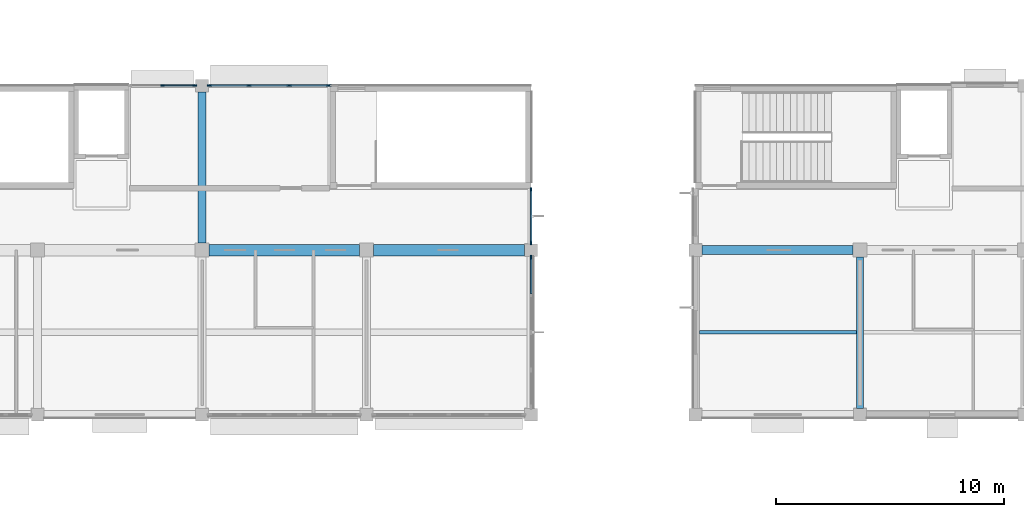
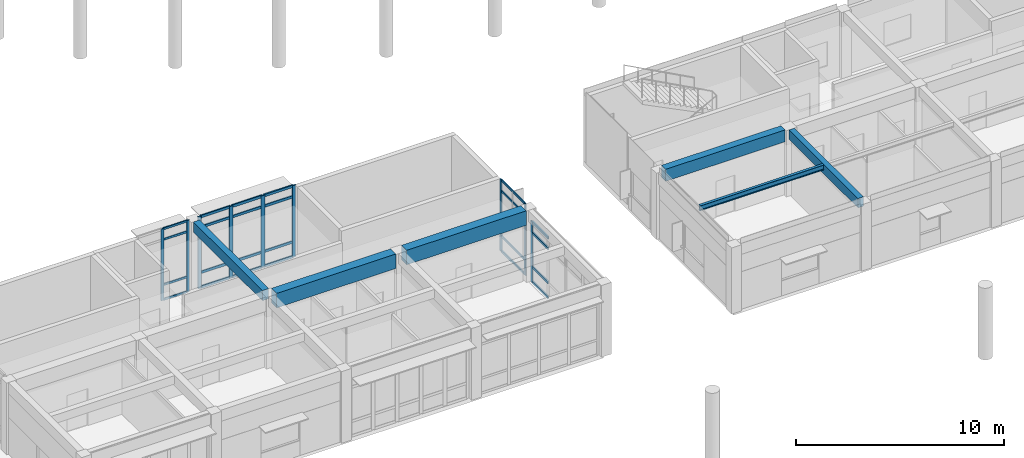
# One storey, part 5 of 41: 33 members, 6 beams, 4 elements without a shape of their own.
"""IFC4 building model written with IfcOpenShell, lengths in metres."""

from ifc_helpers import new_model, si_unit, direction, frame, origin, origin_2d, place, context, subcontext, project, spatial, rectangle, i_section, extrude, material, layer, layer_set, material_profile, profile_set, type_object, element, aggregate, save


model = new_model("IFC4")

# Units and contexts
model_context = context("Model", 3, precision=1e-05, world=origin(), true_north=direction((0.0, 1.0)))
body_context = subcontext(model_context, "Body", "Model", "MODEL_VIEW")
ifc_project = project(units=[si_unit("LENGTHUNIT", "METRE"), si_unit("AREAUNIT", "SQUARE_METRE"), si_unit("VOLUMEUNIT", "CUBIC_METRE"), si_unit("PLANEANGLEUNIT", "RADIAN"), si_unit("MASSUNIT", "GRAM", prefix="KILO")], contexts=[model_context])

# Site, building, storey
site_placement = place(None, origin())
site = spatial("IfcSite", under=ifc_project, at=site_placement, CompositionType="ELEMENT")
building_placement = place(site_placement, origin())
building = spatial("IfcBuilding", under=site, at=building_placement, Name="Namkhue Oval Health Centre", CompositionType="ELEMENT")
storey_placement = place(building_placement, frame((0.0, 0.0, 13.800048828125)))
storey = spatial("IfcBuildingStorey", under=building, at=storey_placement, Name="L03", CompositionType="ELEMENT", Elevation=13.800048828125)

# Curtain wall, members
ifc_material_1 = material(Name="Anodised aluminium EN AW-6063 T6", Category="aluminium")
ifc_layer_1 = layer(ifc_material_1, 0.159912109375)
ifc_layer_set_1 = layer_set([ifc_layer_1], Name="Anodised aluminium EN AW-6063 T6")
curtain_wall_type_1 = type_object("IfcCurtainWallType", Name="UNITISED CURTAIN WALL M1800", PredefinedType="NOTDEFINED", material=ifc_layer_set_1)
curtain_wall_1_placement = place(storey_placement, origin())
curtain_wall_1 = element("IfcCurtainWall", 1, at=curtain_wall_1_placement, inside=storey, type_object=curtain_wall_type_1, Name="Volume V4 L03 Unitised Curtain Wall 173", PredefinedType="NOTDEFINED")
ifc_material_profile_1 = material_profile(ifc_material_1, rectangle(XDim=0.06494140625, YDim=0.159912109375, at=origin_2d()), Name="ALU 65x160")
ifc_profile_set_1 = profile_set([ifc_material_profile_1], Name="Anodised aluminium EN AW-6063 T6")
member_type_1 = type_object("IfcMemberType", Name="CURTAIN WALL MULLION 65X160", PredefinedType="MULLION", material=ifc_profile_set_1)
member_1_placement = place(storey_placement, frame((86.39990234375, 21.91845703125, 0.0), z_axis=(0.0, 0.0, 1.0), x_axis=(-1.0, 0.0, 0.0)))
member_1 = element("IfcMember", 2, at=member_1_placement, type_object=member_type_1, Name="CW-05 mullion 1", PredefinedType="MULLION", context=body_context, shape_type="SweptSolid", body=[
    extrude(rectangle(XDim=0.06494140625, YDim=0.159912109375, at=origin_2d()), origin(), (0.0, 0.0, 1.0), 4.199951171875),
])
member_2_placement = place(storey_placement, frame((86.39990234375, 24.25048828125, 0.0), z_axis=(0.0, 0.0, 1.0), x_axis=(-1.0, 0.0, 0.0)))
member_2 = element("IfcMember", 3, at=member_2_placement, type_object=member_type_1, Name="CW-05 mullion 2", PredefinedType="MULLION", context=body_context, shape_type="SweptSolid", body=[
    extrude(rectangle(XDim=0.06494140625, YDim=0.159912109375, at=origin_2d()), origin(), (0.0, 0.0, 1.0), 4.199951171875),
])

ifc_layer_2 = layer(ifc_material_1, 0.159912109375)
ifc_layer_set_2 = layer_set([ifc_layer_2], Name="Anodised aluminium EN AW-6063 T6")
curtain_wall_type_2 = type_object("IfcCurtainWallType", Name="UNITISED CURTAIN WALL M1200", PredefinedType="NOTDEFINED", material=ifc_layer_set_2)
curtain_wall_2_placement = place(storey_placement, origin())
curtain_wall_2 = element("IfcCurtainWall", 4, at=curtain_wall_2_placement, inside=storey, type_object=curtain_wall_type_2, Name="Volume V4 L03 Unitised Curtain Wall 175", PredefinedType="NOTDEFINED")
member_3_placement = place(storey_placement, frame((71.681396484375, 28.800048828125, 0.0), z_axis=(0.0, 0.0, 1.0), x_axis=(0.0, -1.0, 0.0)))
member_3 = element("IfcMember", 5, at=member_3_placement, type_object=member_type_1, Name="CW-01 mullion 1", PredefinedType="MULLION", context=body_context, shape_type="SweptSolid", body=[
    extrude(rectangle(XDim=0.06494140625, YDim=0.159912109375, at=origin_2d()), origin(), (0.0, 0.0, 1.0), 4.199951171875),
])
member_4_placement = place(storey_placement, frame((70.265380859375, 28.800048828125, 0.0), z_axis=(0.0, 0.0, 1.0), x_axis=(0.0, -1.0, 0.0)))
member_4 = element("IfcMember", 6, at=member_4_placement, type_object=member_type_1, Name="CW-01 mullion 2", PredefinedType="MULLION", context=body_context, shape_type="SweptSolid", body=[
    extrude(rectangle(XDim=0.06494140625, YDim=0.159912109375, at=origin_2d()), origin(), (0.0, 0.0, 1.0), 4.199951171875),
])

# Curtain wall, member
ifc_layer_3 = layer(ifc_material_1, 0.159912109375)
ifc_layer_set_3 = layer_set([ifc_layer_3], Name="Anodised aluminium EN AW-6063 T6")
curtain_wall_type_3 = type_object("IfcCurtainWallType", Name="UNITISED CURTAIN WALL M1600", PredefinedType="NOTDEFINED", material=ifc_layer_set_3)
curtain_wall_3_placement = place(storey_placement, origin())
curtain_wall_3 = element("IfcCurtainWall", 7, at=curtain_wall_3_placement, inside=storey, type_object=curtain_wall_type_3, Name="Volume V4 L03 Unitised Curtain Wall 172", PredefinedType="NOTDEFINED")
ifc_material_profile_2 = material_profile(ifc_material_1, rectangle(XDim=0.074951171875, YDim=0.199951171875, at=origin_2d()), Name="ALU 75x200")
ifc_profile_set_2 = profile_set([ifc_material_profile_2], Name="Anodised aluminium EN AW-6063 T6")
member_type_2 = type_object("IfcMemberType", Name="CURTAIN WALL MULLION 75X200", PredefinedType="MULLION", material=ifc_profile_set_2)
member_5_placement = place(storey_placement, frame((86.39990234375, 21.276611328125, 0.0), z_axis=(0.0, 0.0, 1.0), x_axis=(-1.0, 0.0, 0.0)))
member_5 = element("IfcMember", 8, at=member_5_placement, type_object=member_type_2, Name="CW-04 mullion 5", PredefinedType="MULLION", context=body_context, shape_type="SweptSolid", body=[
    extrude(rectangle(XDim=0.074951171875, YDim=0.199951171875, at=origin_2d()), origin(), (0.0, 0.0, 1.0), 3.550048828125),
])

# Curtain wall, members
ifc_layer_4 = layer(ifc_material_1, 0.159912109375)
ifc_layer_set_4 = layer_set([ifc_layer_4], Name="Anodised aluminium EN AW-6063 T6")
curtain_wall_type_4 = type_object("IfcCurtainWallType", Name="UNITISED CURTAIN WALL M2000", PredefinedType="NOTDEFINED", material=ifc_layer_set_4)
curtain_wall_4_placement = place(storey_placement, origin())
curtain_wall_4 = element("IfcCurtainWall", 9, at=curtain_wall_4_placement, inside=storey, type_object=curtain_wall_type_4, Name="Volume V4 L03 Unitised Curtain Wall 174", PredefinedType="NOTDEFINED")
member_6_placement = place(storey_placement, frame((77.54541015625, 28.800048828125, 0.0), z_axis=(0.0, 0.0, 1.0), x_axis=(0.0, -1.0, 0.0)))
member_6 = element("IfcMember", 10, at=member_6_placement, type_object=member_type_2, Name="CW-06 mullion 1", PredefinedType="MULLION", context=body_context, shape_type="SweptSolid", body=[
    extrude(rectangle(XDim=0.074951171875, YDim=0.199951171875, at=origin_2d()), origin(), (0.0, 0.0, 1.0), 4.199951171875),
])
member_7_placement = place(storey_placement, frame((75.8173828125, 28.800048828125, 0.0), z_axis=(0.0, 0.0, 1.0), x_axis=(0.0, -1.0, 0.0)))
member_7 = element("IfcMember", 11, at=member_7_placement, type_object=member_type_2, Name="CW-06 mullion 2", PredefinedType="MULLION", context=body_context, shape_type="SweptSolid", body=[
    extrude(rectangle(XDim=0.074951171875, YDim=0.199951171875, at=origin_2d()), origin(), (0.0, 0.0, 1.0), 4.199951171875),
])
member_8_placement = place(storey_placement, frame((74.0517578125, 28.800048828125, 0.0), z_axis=(0.0, 0.0, 1.0), x_axis=(0.0, -1.0, 0.0)))
member_8 = element("IfcMember", 12, at=member_8_placement, type_object=member_type_2, Name="CW-06 mullion 3", PredefinedType="MULLION", context=body_context, shape_type="SweptSolid", body=[
    extrude(rectangle(XDim=0.074951171875, YDim=0.199951171875, at=origin_2d()), origin(), (0.0, 0.0, 1.0), 4.199951171875),
])
member_9_placement = place(storey_placement, frame((72.323486328125, 28.800048828125, 0.0), z_axis=(0.0, 0.0, 1.0), x_axis=(0.0, -1.0, 0.0)))
member_9 = element("IfcMember", 13, at=member_9_placement, type_object=member_type_2, Name="CW-06 mullion 4", PredefinedType="MULLION", context=body_context, shape_type="SweptSolid", body=[
    extrude(rectangle(XDim=0.074951171875, YDim=0.199951171875, at=origin_2d()), origin(), (0.0, 0.0, 1.0), 4.199951171875),
])

# Member
ifc_material_profile_3 = material_profile(ifc_material_1, rectangle(XDim=0.06494140625, YDim=0.1201171875, at=origin_2d()), Name="ALU 65x120")
ifc_profile_set_3 = profile_set([ifc_material_profile_3], Name="Anodised aluminium EN AW-6063 T6")
member_type_3 = type_object("IfcMemberType", Name="CURTAIN WALL TRANSOM 65X120", PredefinedType="USERDEFINED", material=ifc_profile_set_3)
member_10_placement = place(storey_placement, frame((86.39990234375, 21.950927734375, 0.032470703125), z_axis=(0.0, 1.0, 0.0), x_axis=(-1.0, 0.0, 0.0)))
member_10 = element("IfcMember", 14, at=member_10_placement, type_object=member_type_3, Name="CW-05 transom 1.1", ObjectType="TRANSOM", PredefinedType="USERDEFINED", context=body_context, shape_type="SweptSolid", body=[
    extrude(rectangle(XDim=0.06494140625, YDim=0.1201171875, at=origin_2d()), origin(), (0.0, 0.0, 1.0), 2.26708984375),
])

member_11_placement = place(storey_placement, frame((86.39990234375, 21.950927734375, 0.89990234375), z_axis=(0.0, 1.0, 0.0), x_axis=(-1.0, 0.0, 0.0)))
member_11 = element("IfcMember", 15, at=member_11_placement, type_object=member_type_3, Name="CW-05 transom 1.2", ObjectType="TRANSOM", PredefinedType="USERDEFINED", context=body_context, shape_type="SweptSolid", body=[
    extrude(rectangle(XDim=0.06494140625, YDim=0.1201171875, at=origin_2d()), origin(), (0.0, 0.0, 1.0), 2.26708984375),
])

member_12_placement = place(storey_placement, frame((86.39990234375, 21.950927734375, 3.550048828125), z_axis=(0.0, 1.0, 0.0), x_axis=(-1.0, 0.0, 0.0)))
member_12 = element("IfcMember", 16, at=member_12_placement, type_object=member_type_3, Name="CW-05 transom 1.3", ObjectType="TRANSOM", PredefinedType="USERDEFINED", context=body_context, shape_type="SweptSolid", body=[
    extrude(rectangle(XDim=0.06494140625, YDim=0.1201171875, at=origin_2d()), origin(), (0.0, 0.0, 1.0), 2.26708984375),
])

member_13_placement = place(storey_placement, frame((86.39990234375, 21.950927734375, 4.16748046875), z_axis=(0.0, 1.0, 0.0), x_axis=(-1.0, 0.0, 0.0)))
member_13 = element("IfcMember", 17, at=member_13_placement, type_object=member_type_3, Name="CW-05 transom 1.4", ObjectType="TRANSOM", PredefinedType="USERDEFINED", context=body_context, shape_type="SweptSolid", body=[
    extrude(rectangle(XDim=0.06494140625, YDim=0.1201171875, at=origin_2d()), origin(), (0.0, 0.0, 1.0), 2.26708984375),
])

aggregate(curtain_wall_1, [member_1, member_2, member_10, member_11, member_12, member_13])

member_14_placement = place(storey_placement, frame((71.64892578125, 28.800048828125, 0.032470703125), z_axis=(-1.0, 0.0, 0.0), x_axis=(0.0, -1.0, 0.0)))
member_14 = element("IfcMember", 18, at=member_14_placement, type_object=member_type_3, Name="CW-01 transom 1.1", ObjectType="TRANSOM", PredefinedType="USERDEFINED", context=body_context, shape_type="SweptSolid", body=[
    extrude(rectangle(XDim=0.06494140625, YDim=0.1201171875, at=origin_2d()), origin(), (0.0, 0.0, 1.0), 1.350830078125),
])

member_15_placement = place(storey_placement, frame((71.64892578125, 28.800048828125, 0.89990234375), z_axis=(-1.0, 0.0, 0.0), x_axis=(0.0, -1.0, 0.0)))
member_15 = element("IfcMember", 19, at=member_15_placement, type_object=member_type_3, Name="CW-01 transom 1.2", ObjectType="TRANSOM", PredefinedType="USERDEFINED", context=body_context, shape_type="SweptSolid", body=[
    extrude(rectangle(XDim=0.06494140625, YDim=0.1201171875, at=origin_2d()), origin(), (0.0, 0.0, 1.0), 1.350830078125),
])

member_16_placement = place(storey_placement, frame((71.64892578125, 28.800048828125, 3.550048828125), z_axis=(-1.0, 0.0, 0.0), x_axis=(0.0, -1.0, 0.0)))
member_16 = element("IfcMember", 20, at=member_16_placement, type_object=member_type_3, Name="CW-01 transom 1.3", ObjectType="TRANSOM", PredefinedType="USERDEFINED", context=body_context, shape_type="SweptSolid", body=[
    extrude(rectangle(XDim=0.06494140625, YDim=0.1201171875, at=origin_2d()), origin(), (0.0, 0.0, 1.0), 1.350830078125),
])

member_17_placement = place(storey_placement, frame((71.64892578125, 28.800048828125, 4.16748046875), z_axis=(-1.0, 0.0, 0.0), x_axis=(0.0, -1.0, 0.0)))
member_17 = element("IfcMember", 21, at=member_17_placement, type_object=member_type_3, Name="CW-01 transom 1.4", ObjectType="TRANSOM", PredefinedType="USERDEFINED", context=body_context, shape_type="SweptSolid", body=[
    extrude(rectangle(XDim=0.06494140625, YDim=0.1201171875, at=origin_2d()), origin(), (0.0, 0.0, 1.0), 1.350830078125),
])

aggregate(curtain_wall_2, [member_3, member_4, member_14, member_15, member_16, member_17])

ifc_material_profile_4 = material_profile(ifc_material_1, rectangle(XDim=0.074951171875, YDim=0.14990234375, at=origin_2d()), Name="ALU 75x150")
ifc_profile_set_4 = profile_set([ifc_material_profile_4], Name="Anodised aluminium EN AW-6063 T6")
member_type_4 = type_object("IfcMemberType", Name="CURTAIN WALL TRANSOM 75X150", PredefinedType="USERDEFINED", material=ifc_profile_set_4)
member_18_placement = place(storey_placement, frame((86.39990234375, 19.694580078125, 0.037353515625), z_axis=(0.0, 1.0, 0.0), x_axis=(-1.0, 0.0, 0.0)))
member_18 = element("IfcMember", 22, at=member_18_placement, type_object=member_type_4, Name="CW-04 transom 4.1", ObjectType="TRANSOM", PredefinedType="USERDEFINED", context=body_context, shape_type="SweptSolid", body=[
    extrude(rectangle(XDim=0.074951171875, YDim=0.14990234375, at=origin_2d()), origin(), (0.0, 0.0, 1.0), 1.54443359375),
])

member_19_placement = place(storey_placement, frame((86.39990234375, 19.694580078125, 0.89990234375), z_axis=(0.0, 1.0, 0.0), x_axis=(-1.0, 0.0, 0.0)))
member_19 = element("IfcMember", 23, at=member_19_placement, type_object=member_type_4, Name="CW-04 transom 4.2", ObjectType="TRANSOM", PredefinedType="USERDEFINED", context=body_context, shape_type="SweptSolid", body=[
    extrude(rectangle(XDim=0.074951171875, YDim=0.14990234375, at=origin_2d()), origin(), (0.0, 0.0, 1.0), 1.54443359375),
])

member_20_placement = place(storey_placement, frame((86.39990234375, 19.694580078125, 2.89990234375), z_axis=(0.0, 1.0, 0.0), x_axis=(-1.0, 0.0, 0.0)))
member_20 = element("IfcMember", 24, at=member_20_placement, type_object=member_type_4, Name="CW-04 transom 4.3", ObjectType="TRANSOM", PredefinedType="USERDEFINED", context=body_context, shape_type="SweptSolid", body=[
    extrude(rectangle(XDim=0.074951171875, YDim=0.14990234375, at=origin_2d()), origin(), (0.0, 0.0, 1.0), 1.54443359375),
])

member_21_placement = place(storey_placement, frame((86.39990234375, 19.694580078125, 3.512451171875), z_axis=(0.0, 1.0, 0.0), x_axis=(-1.0, 0.0, 0.0)))
member_21 = element("IfcMember", 25, at=member_21_placement, type_object=member_type_4, Name="CW-04 transom 4.4", ObjectType="TRANSOM", PredefinedType="USERDEFINED", context=body_context, shape_type="SweptSolid", body=[
    extrude(rectangle(XDim=0.074951171875, YDim=0.14990234375, at=origin_2d()), origin(), (0.0, 0.0, 1.0), 1.54443359375),
])

aggregate(curtain_wall_3, [member_5, member_18, member_19, member_20, member_21])

member_22_placement = place(storey_placement, frame((77.508056640625, 28.800048828125, 0.037353515625), z_axis=(-1.0, 0.0, 0.0), x_axis=(0.0, -1.0, 0.0)))
member_22 = element("IfcMember", 26, at=member_22_placement, type_object=member_type_4, Name="CW-06 transom 1.1", ObjectType="TRANSOM", PredefinedType="USERDEFINED", context=body_context, shape_type="SweptSolid", body=[
    extrude(rectangle(XDim=0.074951171875, YDim=0.14990234375, at=origin_2d()), origin(), (0.0, 0.0, 1.0), 1.6533203125),
])

member_23_placement = place(storey_placement, frame((77.508056640625, 28.800048828125, 0.89990234375), z_axis=(-1.0, 0.0, 0.0), x_axis=(0.0, -1.0, 0.0)))
member_23 = element("IfcMember", 27, at=member_23_placement, type_object=member_type_4, Name="CW-06 transom 1.2", ObjectType="TRANSOM", PredefinedType="USERDEFINED", context=body_context, shape_type="SweptSolid", body=[
    extrude(rectangle(XDim=0.074951171875, YDim=0.14990234375, at=origin_2d()), origin(), (0.0, 0.0, 1.0), 1.6533203125),
])

member_24_placement = place(storey_placement, frame((77.508056640625, 28.800048828125, 3.550048828125), z_axis=(-1.0, 0.0, 0.0), x_axis=(0.0, -1.0, 0.0)))
member_24 = element("IfcMember", 28, at=member_24_placement, type_object=member_type_4, Name="CW-06 transom 1.3", ObjectType="TRANSOM", PredefinedType="USERDEFINED", context=body_context, shape_type="SweptSolid", body=[
    extrude(rectangle(XDim=0.074951171875, YDim=0.14990234375, at=origin_2d()), origin(), (0.0, 0.0, 1.0), 1.6533203125),
])

member_25_placement = place(storey_placement, frame((77.508056640625, 28.800048828125, 4.162353515625), z_axis=(-1.0, 0.0, 0.0), x_axis=(0.0, -1.0, 0.0)))
member_25 = element("IfcMember", 29, at=member_25_placement, type_object=member_type_4, Name="CW-06 transom 1.4", ObjectType="TRANSOM", PredefinedType="USERDEFINED", context=body_context, shape_type="SweptSolid", body=[
    extrude(rectangle(XDim=0.074951171875, YDim=0.14990234375, at=origin_2d()), origin(), (0.0, 0.0, 1.0), 1.6533203125),
])

member_26_placement = place(storey_placement, frame((75.77978515625, 28.800048828125, 0.037353515625), z_axis=(-1.0, 0.0, 0.0), x_axis=(0.0, -1.0, 0.0)))
member_26 = element("IfcMember", 30, at=member_26_placement, type_object=member_type_4, Name="CW-06 transom 2.1", ObjectType="TRANSOM", PredefinedType="USERDEFINED", context=body_context, shape_type="SweptSolid", body=[
    extrude(rectangle(XDim=0.074951171875, YDim=0.14990234375, at=origin_2d()), origin(), (0.0, 0.0, 1.0), 1.690673828125),
])

member_27_placement = place(storey_placement, frame((75.77978515625, 28.800048828125, 0.89990234375), z_axis=(-1.0, 0.0, 0.0), x_axis=(0.0, -1.0, 0.0)))
member_27 = element("IfcMember", 31, at=member_27_placement, type_object=member_type_4, Name="CW-06 transom 2.2", ObjectType="TRANSOM", PredefinedType="USERDEFINED", context=body_context, shape_type="SweptSolid", body=[
    extrude(rectangle(XDim=0.074951171875, YDim=0.14990234375, at=origin_2d()), origin(), (0.0, 0.0, 1.0), 1.690673828125),
])

member_28_placement = place(storey_placement, frame((75.77978515625, 28.800048828125, 3.550048828125), z_axis=(-1.0, 0.0, 0.0), x_axis=(0.0, -1.0, 0.0)))
member_28 = element("IfcMember", 32, at=member_28_placement, type_object=member_type_4, Name="CW-06 transom 2.3", ObjectType="TRANSOM", PredefinedType="USERDEFINED", context=body_context, shape_type="SweptSolid", body=[
    extrude(rectangle(XDim=0.074951171875, YDim=0.14990234375, at=origin_2d()), origin(), (0.0, 0.0, 1.0), 1.690673828125),
])

member_29_placement = place(storey_placement, frame((75.77978515625, 28.800048828125, 4.162353515625), z_axis=(-1.0, 0.0, 0.0), x_axis=(0.0, -1.0, 0.0)))
member_29 = element("IfcMember", 33, at=member_29_placement, type_object=member_type_4, Name="CW-06 transom 2.4", ObjectType="TRANSOM", PredefinedType="USERDEFINED", context=body_context, shape_type="SweptSolid", body=[
    extrude(rectangle(XDim=0.074951171875, YDim=0.14990234375, at=origin_2d()), origin(), (0.0, 0.0, 1.0), 1.690673828125),
])

member_30_placement = place(storey_placement, frame((74.01416015625, 28.800048828125, 0.037353515625), z_axis=(-1.0, 0.0, 0.0), x_axis=(0.0, -1.0, 0.0)))
member_30 = element("IfcMember", 34, at=member_30_placement, type_object=member_type_4, Name="CW-06 transom 3.1", ObjectType="TRANSOM", PredefinedType="USERDEFINED", context=body_context, shape_type="SweptSolid", body=[
    extrude(rectangle(XDim=0.074951171875, YDim=0.14990234375, at=origin_2d()), origin(), (0.0, 0.0, 1.0), 1.653076171875),
])

member_31_placement = place(storey_placement, frame((74.01416015625, 28.800048828125, 0.89990234375), z_axis=(-1.0, 0.0, 0.0), x_axis=(0.0, -1.0, 0.0)))
member_31 = element("IfcMember", 35, at=member_31_placement, type_object=member_type_4, Name="CW-06 transom 3.2", ObjectType="TRANSOM", PredefinedType="USERDEFINED", context=body_context, shape_type="SweptSolid", body=[
    extrude(rectangle(XDim=0.074951171875, YDim=0.14990234375, at=origin_2d()), origin(), (0.0, 0.0, 1.0), 1.653076171875),
])

member_32_placement = place(storey_placement, frame((74.01416015625, 28.800048828125, 3.550048828125), z_axis=(-1.0, 0.0, 0.0), x_axis=(0.0, -1.0, 0.0)))
member_32 = element("IfcMember", 36, at=member_32_placement, type_object=member_type_4, Name="CW-06 transom 3.3", ObjectType="TRANSOM", PredefinedType="USERDEFINED", context=body_context, shape_type="SweptSolid", body=[
    extrude(rectangle(XDim=0.074951171875, YDim=0.14990234375, at=origin_2d()), origin(), (0.0, 0.0, 1.0), 1.653076171875),
])

member_33_placement = place(storey_placement, frame((74.01416015625, 28.800048828125, 4.162353515625), z_axis=(-1.0, 0.0, 0.0), x_axis=(0.0, -1.0, 0.0)))
member_33 = element("IfcMember", 37, at=member_33_placement, type_object=member_type_4, Name="CW-06 transom 3.4", ObjectType="TRANSOM", PredefinedType="USERDEFINED", context=body_context, shape_type="SweptSolid", body=[
    extrude(rectangle(XDim=0.074951171875, YDim=0.14990234375, at=origin_2d()), origin(), (0.0, 0.0, 1.0), 1.653076171875),
])

aggregate(curtain_wall_4, [member_6, member_7, member_8, member_9, member_22, member_23, member_24, member_25, member_26, member_27, member_28, member_29, member_30, member_31, member_32, member_33])

# Beams
ifc_material_2 = material(Name="Reinforced concrete C30/37 (TCVN B35)", Category="concrete")
ifc_material_profile_5 = material_profile(ifc_material_2, rectangle(XDim=0.300048828125, YDim=0.550048828125, at=origin_2d()), Name="RC 300x550")
ifc_profile_set_5 = profile_set([ifc_material_profile_5], Name="Reinforced concrete C30/37 (TCVN B35)")
beam_type_1 = type_object("IfcBeamType", Name="FLOOR BEAM RC 300X550", PredefinedType="BEAM", material=ifc_profile_set_5)
beam_1_placement = place(storey_placement, frame((100.800048828125, 14.675048828125, 3.60498046875), z_axis=(0.0, 1.0, 0.0), x_axis=(-1.0, 0.0, 0.0)))
element("IfcBeam", 38, at=beam_1_placement, inside=storey, type_object=beam_type_1, Name="Volume V5 L04 Beam 15/C-D", PredefinedType="BEAM", context=body_context, shape_type="SweptSolid", body=[
    extrude(rectangle(XDim=0.300048828125, YDim=0.550048828125, at=origin_2d()), origin(), (0.0, 0.0, 1.0), 6.625),
])
ifc_material_profile_6 = material_profile(ifc_material_2, rectangle(XDim=0.35009765625, YDim=0.60009765625, at=origin_2d()), Name="RC 350x600")
ifc_profile_set_6 = profile_set([ifc_material_profile_6], Name="Reinforced concrete C30/37 (TCVN B35)")
beam_type_2 = type_object("IfcBeamType", Name="FLOOR BEAM RC 350X600", PredefinedType="BEAM", material=ifc_profile_set_6)
beam_2_placement = place(storey_placement, frame((72.0, 21.89990234375, 3.89990234375), z_axis=(0.0, 1.0, 0.0), x_axis=(-1.0, 0.0, 0.0)))
element("IfcBeam", 39, at=beam_2_placement, inside=storey, type_object=beam_type_2, Name="Volume V4 L04 Beam 11/D-E", PredefinedType="BEAM", context=body_context, shape_type="SweptSolid", body=[
    extrude(rectangle(XDim=0.35009765625, YDim=0.60009765625, at=origin_2d()), origin(), (0.0, 0.0, 1.0), 6.625),
])
ifc_material_3 = material(Name="Reinforced concrete C35/45 (TCVN B40)", Category="concrete")
ifc_material_profile_7 = material_profile(ifc_material_3, rectangle(XDim=0.39990234375, YDim=0.699951171875, at=origin_2d()), Name="RC 400x700")
ifc_profile_set_7 = profile_set([ifc_material_profile_7], Name="Reinforced concrete C35/45 (TCVN B40)")
beam_type_3 = type_object("IfcBeamType", Name="PRIMARY GIRDER RC 400X700", PredefinedType="USERDEFINED", material=ifc_profile_set_7)
beam_3_placement = place(storey_placement, frame((93.875, 21.60009765625, 3.530029296875), z_axis=(1.0, 0.0, 0.0), x_axis=(0.0, 1.0, 0.0)))
element("IfcBeam", 40, at=beam_3_placement, inside=storey, type_object=beam_type_3, Name="Volume V5 L04 Girder D/14-15", ObjectType="GIRDER", PredefinedType="USERDEFINED", context=body_context, shape_type="SweptSolid", body=[
    extrude(rectangle(XDim=0.39990234375, YDim=0.699951171875, at=origin_2d()), origin(), (0.0, 0.0, 1.0), 6.625),
])
ifc_material_profile_8 = material_profile(ifc_material_3, rectangle(XDim=0.5, YDim=0.85009765625, at=origin_2d()), Name="RC 500x850")
ifc_profile_set_8 = profile_set([ifc_material_profile_8], Name="Reinforced concrete C35/45 (TCVN B40)")
beam_type_4 = type_object("IfcBeamType", Name="PRIMARY GIRDER RC 500X850", PredefinedType="USERDEFINED", material=ifc_profile_set_8)
beam_4_placement = place(storey_placement, frame((72.300048828125, 21.60009765625, 3.77490234375), z_axis=(1.0, 0.0, 0.0), x_axis=(0.0, 1.0, 0.0)))
element("IfcBeam", 41, at=beam_4_placement, inside=storey, type_object=beam_type_4, Name="Volume V4 L04 Girder D/11-12", ObjectType="GIRDER", PredefinedType="USERDEFINED", context=body_context, shape_type="SweptSolid", body=[
    extrude(rectangle(XDim=0.5, YDim=0.85009765625, at=origin_2d()), origin(), (0.0, 0.0, 1.0), 6.599853515625),
])
beam_5_placement = place(storey_placement, frame((79.5, 21.60009765625, 3.77490234375), z_axis=(1.0, 0.0, 0.0), x_axis=(0.0, 1.0, 0.0)))
element("IfcBeam", 42, at=beam_5_placement, inside=storey, type_object=beam_type_4, Name="Volume V4 L04 Girder D/12-13", ObjectType="GIRDER", PredefinedType="USERDEFINED", context=body_context, shape_type="SweptSolid", body=[
    extrude(rectangle(XDim=0.5, YDim=0.85009765625, at=origin_2d()), origin(), (0.0, 0.0, 1.0), 6.625),
])
ifc_material_4 = material(Name="Structural steel EN 10025-2 S355JR (TCVN 5575:2024)", Category="steel")
ifc_material_profile_9 = material_profile(ifc_material_4, i_section(OverallWidth=0.14990234375, OverallDepth=0.300048828125, WebThickness=0.007080078125, FlangeThickness=0.0107421875, FilletRadius=0.014892578125, at=origin_2d()), Name="IPE 300")
ifc_profile_set_9 = profile_set([ifc_material_profile_9], Name="Structural steel EN 10025-2 S355JR (TCVN 5575:2024)")
beam_type_5 = type_object("IfcBeamType", Name="SECONDARY JOIST STEEL IPE 300", PredefinedType="JOIST", material=ifc_profile_set_9)
beam_6_placement = place(storey_placement, frame((93.77490234375, 18.0, 3.72998046875), z_axis=(1.0, 0.0, 0.0), x_axis=(0.0, 1.0, 0.0)))
element("IfcBeam", 43, at=beam_6_placement, inside=storey, type_object=beam_type_5, Name="Volume V5 L04 Secondary Joist 14-15", PredefinedType="JOIST", context=body_context, shape_type="SweptSolid", body=[
    extrude(i_section(OverallWidth=0.14990234375, OverallDepth=0.300048828125, WebThickness=0.007080078125, FlangeThickness=0.0107421875, FilletRadius=0.014892578125, at=origin_2d()), origin(), (0.0, 0.0, 1.0), 6.875),
])

save(model, "model.ifc")
